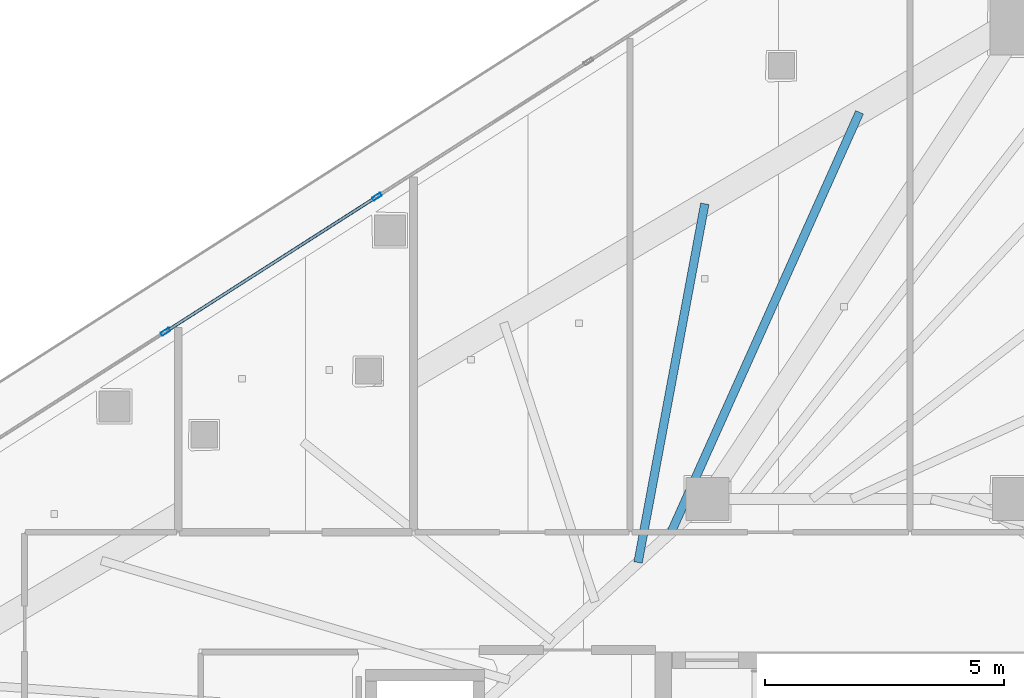
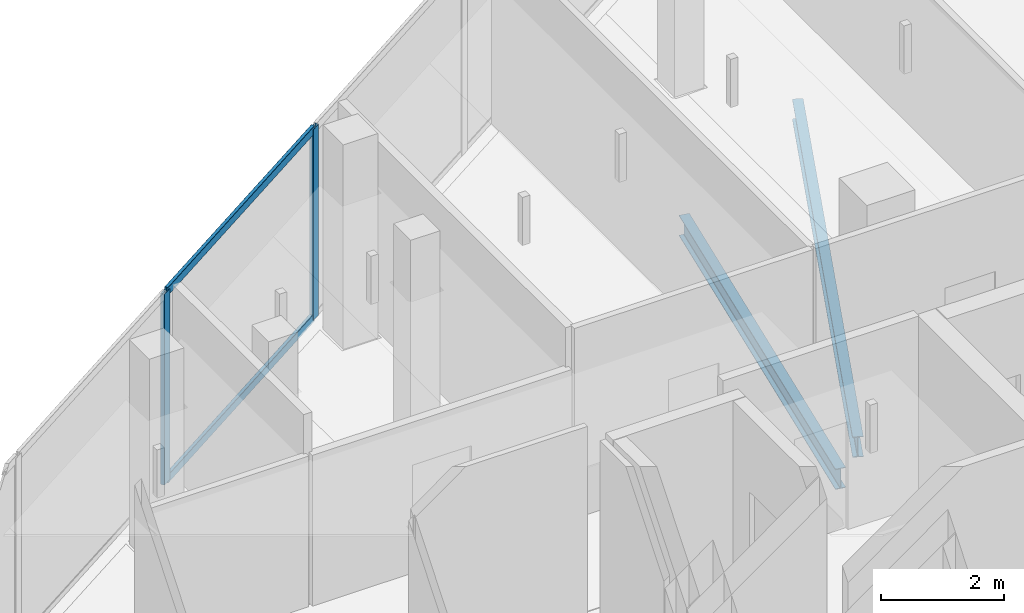
# One storey, part 14 of 32: 4 members, 2 beams, 1 element without a shape of its own.
"""IFC4 building model written with IfcOpenShell, lengths in metres."""

from ifc_helpers import new_model, si_unit, direction, frame, origin, origin_2d, place, context, subcontext, project, spatial, hollow_rectangle, i_section, extrude, material, layer, layer_set, material_profile, profile_set, type_object, element, aggregate, save


model = new_model("IFC4")

# Units and contexts
model_context = context("Model", 3, precision=1e-05, world=origin(), true_north=direction((0.0, 1.0)))
body_context = subcontext(model_context, "Body", "Model", "MODEL_VIEW")
ifc_project = project(units=[si_unit("LENGTHUNIT", "METRE"), si_unit("AREAUNIT", "SQUARE_METRE"), si_unit("VOLUMEUNIT", "CUBIC_METRE"), si_unit("PLANEANGLEUNIT", "RADIAN"), si_unit("MASSUNIT", "GRAM", prefix="KILO")], contexts=[model_context])

# Site, building, storey
site_placement = place(None, origin())
site = spatial("IfcSite", under=ifc_project, at=site_placement, CompositionType="ELEMENT")
building_placement = place(site_placement, origin())
building = spatial("IfcBuilding", under=site, at=building_placement, Name="Qorvath Tower", CompositionType="ELEMENT")
storey_placement = place(building_placement, frame((0.0, 0.0, 233.39990234375)))
storey = spatial("IfcBuildingStorey", under=building, at=storey_placement, Name="L54", CompositionType="ELEMENT", Elevation=233.39990234375)

# Beams
ifc_material_1 = material(Name="Steel ASTM A992 Grade 50", Category="steel")
ifc_material_profile_1 = material_profile(ifc_material_1, i_section(OverallWidth=0.177978515625, OverallDepth=0.406005859375, WebThickness=0.0078125, FlangeThickness=0.0126953125, FilletRadius=0.010986328125, at=origin_2d()), Name="W16x40")
ifc_profile_set_1 = profile_set([ifc_material_profile_1], Name="Steel ASTM A992 Grade 50")
beam_type = type_object("IfcBeamType", Name="BM-FJ3", PredefinedType="JOIST", material=ifc_profile_set_1)
beam_1_placement = place(storey_placement, frame((-25.049072265625, 10.126953125, -0.472900390625), z_axis=(0.183026775988, 0.983107928598, 0.0), x_axis=(-0.983107928598, 0.183026775988, 0.0)))
element("IfcBeam", 1, at=beam_1_placement, inside=storey, type_object=beam_type, Name="Composite Floor Joist NW6 L54", PredefinedType="JOIST", context=body_context, shape_type="SweptSolid", body=[
    extrude(i_section(OverallWidth=0.177978515625, OverallDepth=0.406005859375, WebThickness=0.0078125, FlangeThickness=0.0126953125, FilletRadius=0.010986328125, at=origin_2d()), origin(), (0.0, 0.0, 1.0), 7.617919921875),
])
beam_2_placement = place(storey_placement, frame((-24.35888671875, 10.757080078125, -0.472900390625), z_axis=(0.409327209141, 0.912387656568, 0.0), x_axis=(-0.912387656568, 0.409327209141, 0.0)))
element("IfcBeam", 2, at=beam_2_placement, inside=storey, type_object=beam_type, Name="Composite Floor Joist NW7 L54", PredefinedType="JOIST", context=body_context, shape_type="SweptSolid", body=[
    extrude(i_section(OverallWidth=0.177978515625, OverallDepth=0.406005859375, WebThickness=0.0078125, FlangeThickness=0.0126953125, FilletRadius=0.010986328125, at=origin_2d()), origin(), (0.0, 0.0, 1.0), 9.611083984375),
])

# Curtain wall, members
ifc_material_2 = material(Name="Anodised aluminium and triple low-E glass", Category="aluminium")
ifc_layer = layer(ifc_material_2, 0.179931640625)
ifc_layer_set = layer_set([ifc_layer], Name="CW-SYS-5")
curtain_wall_type = type_object("IfcCurtainWallType", Name="CW-SYS-5", PredefinedType="NOTDEFINED", material=ifc_layer_set)
curtain_wall_placement = place(storey_placement, origin())
curtain_wall = element("IfcCurtainWall", 3, at=curtain_wall_placement, inside=storey, type_object=curtain_wall_type, Name="Curtain Wall CW-5 CW-T-L54-18.1", PredefinedType="NOTDEFINED")
ifc_material_3 = material(Name="Anodised aluminium 6063-T6", Category="aluminium")
ifc_material_profile_2 = material_profile(ifc_material_3, hollow_rectangle(XDim=0.074951171875, YDim=0.199951171875, WallThickness=0.00390625, InnerFilletRadius=0.00390625, OuterFilletRadius=0.008056640625, at=origin_2d()), Name="CWM 200x75")
ifc_profile_set_2 = profile_set([ifc_material_profile_2], Name="Anodised aluminium 6063-T6")
member_type_1 = type_object("IfcMemberType", Name="CWM-200", PredefinedType="MULLION", material=ifc_profile_set_2)
member_1_placement = place(storey_placement, frame((-30.501953125, 17.763916015625, 0.0), z_axis=(0.0, 0.0, 1.0), x_axis=(0.538528188002, -0.842607495057, 0.0)))
member_1 = element("IfcMember", 4, at=member_1_placement, type_object=member_type_1, Name="CW-5 mullion 4", PredefinedType="MULLION", context=body_context, shape_type="SweptSolid", body=[
    extrude(hollow_rectangle(XDim=0.074951171875, YDim=0.199951171875, WallThickness=0.00390625, InnerFilletRadius=0.00390625, OuterFilletRadius=0.008056640625, at=origin_2d()), origin(), (0.0, 0.0, 1.0), 3.780029296875),
])
member_2_placement = place(storey_placement, frame((-34.916748046875, 14.9423828125, 0.0), z_axis=(0.0, 0.0, 1.0), x_axis=(0.538528188002, -0.842607495057, 0.0)))
member_2 = element("IfcMember", 5, at=member_2_placement, type_object=member_type_1, Name="CW-5 mullion 5", PredefinedType="MULLION", context=body_context, shape_type="SweptSolid", body=[
    extrude(hollow_rectangle(XDim=0.074951171875, YDim=0.199951171875, WallThickness=0.00390625, InnerFilletRadius=0.00390625, OuterFilletRadius=0.008056640625, at=origin_2d()), origin(), (0.0, 0.0, 1.0), 3.780029296875),
])
ifc_material_4 = material(Name="Anodised aluminium 6063-T6", Category="aluminium")
ifc_material_profile_3 = material_profile(ifc_material_4, hollow_rectangle(XDim=0.06494140625, YDim=0.159912109375, WallThickness=0.00341796875, InnerFilletRadius=0.00341796875, OuterFilletRadius=0.007080078125, at=origin_2d()), Name="CWT 160x65")
ifc_profile_set_3 = profile_set([ifc_material_profile_3], Name="Anodised aluminium 6063-T6")
member_type_2 = type_object("IfcMemberType", Name="CWT-160", PredefinedType="USERDEFINED", material=ifc_profile_set_3)
member_3_placement = place(storey_placement, frame((-30.533447265625, 17.743896484375, 0.032470703125), z_axis=(-0.842593182157, -0.538550582009, 0.0), x_axis=(0.538550582009, -0.842593182157, 0.0)))
member_3 = element("IfcMember", 6, at=member_3_placement, type_object=member_type_2, Name="CW-5 transom 4.1", ObjectType="TRANSOM", PredefinedType="USERDEFINED", context=body_context, shape_type="SweptSolid", body=[
    extrude(hollow_rectangle(XDim=0.06494140625, YDim=0.159912109375, WallThickness=0.00341796875, InnerFilletRadius=0.00341796875, OuterFilletRadius=0.007080078125, at=origin_2d()), origin(), (0.0, 0.0, 1.0), 5.164794921875),
])
member_4_placement = place(storey_placement, frame((-30.533447265625, 17.743896484375, 3.74755859375), z_axis=(-0.842593182157, -0.538550582009, 0.0), x_axis=(0.538550582009, -0.842593182157, 0.0)))
member_4 = element("IfcMember", 7, at=member_4_placement, type_object=member_type_2, Name="CW-5 transom 4.2", ObjectType="TRANSOM", PredefinedType="USERDEFINED", context=body_context, shape_type="SweptSolid", body=[
    extrude(hollow_rectangle(XDim=0.06494140625, YDim=0.159912109375, WallThickness=0.00341796875, InnerFilletRadius=0.00341796875, OuterFilletRadius=0.007080078125, at=origin_2d()), origin(), (0.0, 0.0, 1.0), 5.164794921875),
])
aggregate(curtain_wall, [member_1, member_2, member_3, member_4])

save(model, "model.ifc")
